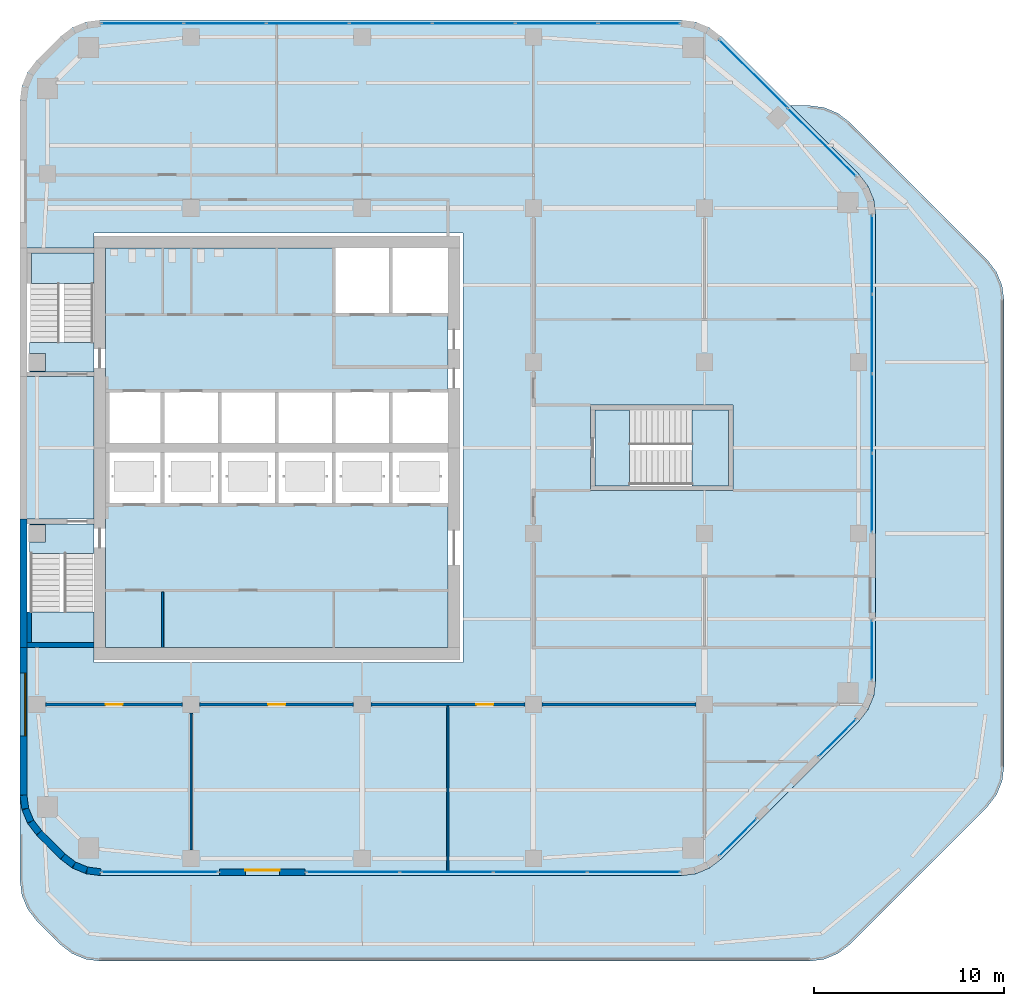
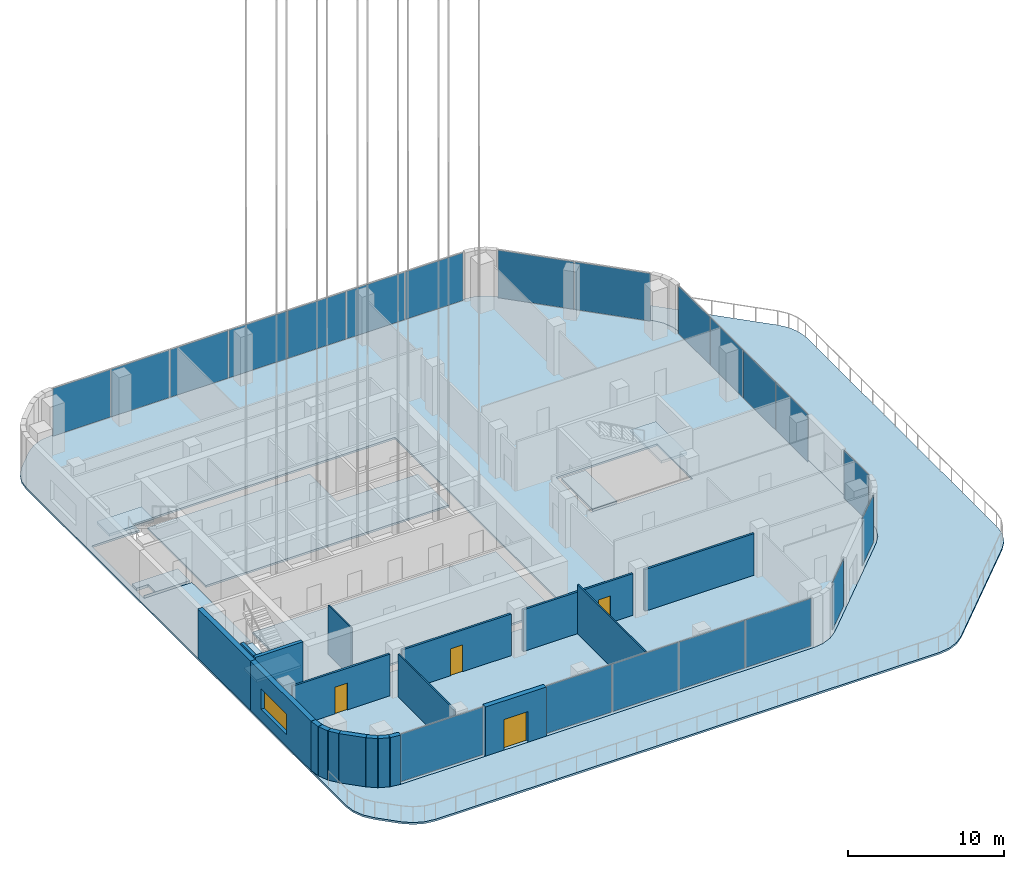
# One storey, part 23 of 29: 21 plates, 19 walls, 10 slabs, 4 doors, 1 window, 5 openings, 11 elements without a shape of their own.
"""IFC4 building model written with IfcOpenShell, lengths in metres."""

from ifc_helpers import new_model, si_unit, direction, frame, frame_2d, origin, origin_2d, place, context, subcontext, project, spatial, polyline, rectangle, outline, extrude, material, layer, layer_set, type_object, element, fill, aggregate, save


model = new_model("IFC4")

# Units and contexts
model_context = context("Model", 3, precision=1e-05, world=origin(), true_north=direction((0.0, 1.0)))
body_context = subcontext(model_context, "Body", "Model", "MODEL_VIEW")
ifc_project = project(units=[si_unit("LENGTHUNIT", "METRE"), si_unit("AREAUNIT", "SQUARE_METRE"), si_unit("VOLUMEUNIT", "CUBIC_METRE"), si_unit("PLANEANGLEUNIT", "RADIAN"), si_unit("MASSUNIT", "GRAM", prefix="KILO")], contexts=[model_context])

# Site, building, storey
site_placement = place(None, origin())
site = spatial("IfcSite", under=ifc_project, at=site_placement, CompositionType="ELEMENT")
building_placement = place(site_placement, origin())
building = spatial("IfcBuilding", under=site, at=building_placement, Name="Cinnabar Reach Civic Tower", CompositionType="ELEMENT")
storey_placement = place(building_placement, frame((0.0, 0.0, 149.0)))
storey = spatial("IfcBuildingStorey", under=building, at=storey_placement, Name="L35", CompositionType="ELEMENT", Elevation=149.0)

# Slab
ifc_material_1 = material(Name="Concrete C40", Category="concrete")
ifc_layer_1 = layer(ifc_material_1, 0.15)
ifc_layer_set_1 = layer_set([ifc_layer_1], Name="Composite floor slab 150 REI 150")
slab_type_1 = type_object("IfcSlabType", Name="Composite floor slab 150 REI 150", PredefinedType="FLOOR", material=ifc_layer_set_1)
slab_1_placement = place(storey_placement, frame((0.0, 0.0, -0.15)))
element("IfcSlab", 1, at=slab_1_placement, inside=storey, type_object=slab_type_1, Name="Composite floor slab 150 T1 L35", PredefinedType="FLOOR", context=body_context, shape_type="SweptSolid", body=[
    extrude(outline(polyline([(0.8787, 11.1213), (0.4019, 11.7426), (0.1022, 12.4662), (0.0, 13.2426), (0.0, 49.7574), (0.1022, 50.5338), (0.4019, 51.2574), (0.8787, 51.8787), (2.1213, 53.1213), (2.7426, 53.5981), (3.4662, 53.8978), (4.2426, 54.0), (34.7574, 54.0), (35.5338, 53.8978), (36.2574, 53.5981), (36.8787, 53.1213), (44.1213, 45.8787), (44.5981, 45.2574), (44.8978, 44.5338), (45.0, 43.7574), (45.0, 19.2426), (44.8978, 18.4662), (44.5981, 17.7426), (44.1213, 17.1213), (36.8787, 9.8787), (36.2574, 9.4019), (35.5338, 9.1022), (34.7574, 9.0), (4.2426, 9.0), (3.4662, 9.1022), (2.7426, 9.4019), (2.1213, 9.8787), (0.8787, 11.1213)]), holes=[polyline([(0.36, 21.0), (3.9, 21.0), (3.9, 20.2), (23.3, 20.2), (23.3, 42.8), (3.9, 42.8), (3.9, 42.0), (0.36, 42.0), (0.36, 35.25), (3.9, 35.25), (3.9, 27.75), (0.36, 27.75), (0.36, 21.0)]), polyline([(30.0, 33.75), (30.0, 29.25), (37.5, 29.25), (37.5, 33.75), (30.0, 33.75)])]), origin(), (0.0, 0.0, 1.0), 0.15),
])

# Stair, slabs
ifc_material_2 = material(Name="Concrete C40/50", Category="concrete")
stair_type = type_object("IfcStairType", Name="T1 Exit stair, half-turn", PredefinedType="HALF_TURN_STAIR", material=ifc_material_2)
stair_1_placement = place(storey_placement, origin())
stair_1 = element("IfcStair", 2, at=stair_1_placement, inside=storey, type_object=stair_type, Name="Stair T1-S1", PredefinedType="HALF_TURN_STAIR")
ifc_layer_2 = layer(ifc_material_2, 0.2)
ifc_layer_set_2 = layer_set([ifc_layer_2], Name="T1 Stair landing 200, Concrete C40/50")
slab_type_2 = type_object("IfcSlabType", Name="T1 Stair landing 200, Concrete C40/50", PredefinedType="LANDING", material=ifc_layer_set_2)
slab_2_placement = place(storey_placement, frame((0.0, 0.0, -0.2)))
slab_2 = element("IfcSlab", 3, at=slab_2_placement, type_object=slab_type_2, Name="T1-S1 landing 1", PredefinedType="LANDING", context=body_context, shape_type="SweptSolid", body=[
    extrude(outline(polyline([(0.5, 27.5), (3.9, 27.5), (3.9, 25.95), (0.5, 25.95), (0.5, 26.55), (1.35, 26.55), (1.35, 27.45), (0.5, 27.45), (0.5, 27.5)])), origin(), (0.0, 0.0, 1.0), 0.2),
])
slab_3_placement = place(storey_placement, frame((0.0, 0.0, 1.8)))
slab_3 = element("IfcSlab", 4, at=slab_3_placement, type_object=slab_type_2, Name="T1-S1 landing 2", PredefinedType="LANDING", context=body_context, shape_type="SweptSolid", body=[
    extrude(outline(polyline([(0.6, 21.25), (0.6, 22.87), (3.9, 22.87), (3.9, 21.25), (0.6, 21.25)])), origin(), (0.0, 0.0, 1.0), 0.2),
])
aggregate(stair_1, [slab_2, slab_3])

stair_2_placement = place(storey_placement, origin())
stair_2 = element("IfcStair", 5, at=stair_2_placement, inside=storey, type_object=stair_type, Name="Stair T1-S2", PredefinedType="HALF_TURN_STAIR")
slab_4_placement = place(storey_placement, frame((0.0, 0.0, -0.2)))
slab_4 = element("IfcSlab", 6, at=slab_4_placement, type_object=slab_type_2, Name="T1-S2 landing 1", PredefinedType="LANDING", context=body_context, shape_type="SweptSolid", body=[
    extrude(outline(polyline([(0.5, 37.05), (3.9, 37.05), (3.9, 35.5), (0.5, 35.5), (0.5, 35.55), (1.35, 35.55), (1.35, 36.45), (0.5, 36.45), (0.5, 37.05)])), origin(), (0.0, 0.0, 1.0), 0.2),
])
slab_5_placement = place(storey_placement, frame((0.0, 0.0, 1.8)))
slab_5 = element("IfcSlab", 7, at=slab_5_placement, type_object=slab_type_2, Name="T1-S2 landing 2", PredefinedType="LANDING", context=body_context, shape_type="SweptSolid", body=[
    extrude(outline(polyline([(0.6, 40.13), (0.6, 41.75), (3.9, 41.75), (3.9, 40.13), (0.6, 40.13)])), origin(), (0.0, 0.0, 1.0), 0.2),
])
aggregate(stair_2, [slab_4, slab_5])

stair_3_placement = place(storey_placement, origin())
stair_3 = element("IfcStair", 8, at=stair_3_placement, inside=storey, type_object=stair_type, Name="Stair T1-S3", PredefinedType="HALF_TURN_STAIR")
slab_6_placement = place(storey_placement, frame((0.0, 0.0, -0.2)))
slab_6 = element("IfcSlab", 9, at=slab_6_placement, type_object=slab_type_2, Name="T1-S3 landing 1", PredefinedType="LANDING", context=body_context, shape_type="SweptSolid", body=[
    extrude(outline(polyline([(30.25, 29.5), (32.05, 29.5), (32.05, 33.5), (30.25, 33.5), (30.25, 29.5)])), origin(), (0.0, 0.0, 1.0), 0.2),
])
slab_7_placement = place(storey_placement, frame((0.0, 0.0, 1.8)))
slab_7 = element("IfcSlab", 10, at=slab_7_placement, type_object=slab_type_2, Name="T1-S3 landing 2", PredefinedType="LANDING", context=body_context, shape_type="SweptSolid", body=[
    extrude(outline(polyline([(35.35, 29.5), (37.25, 29.5), (37.25, 33.5), (35.35, 33.5), (35.35, 29.5)])), origin(), (0.0, 0.0, 1.0), 0.2),
])
aggregate(stair_3, [slab_6, slab_7])

# Slabs
ifc_layer_3 = layer(ifc_material_2, 0.15)
ifc_layer_set_3 = layer_set([ifc_layer_3], Name="T1 core floor slab 150")
slab_type_3 = type_object("IfcSlabType", Name="T1 core floor slab 150", PredefinedType="FLOOR", material=ifc_layer_set_3)
slab_8_placement = place(storey_placement, frame((0.0, 0.0, -0.15)))
element("IfcSlab", 11, at=slab_8_placement, inside=storey, type_object=slab_type_3, Name="Core floor slab L35", PredefinedType="FLOOR", context=body_context, shape_type="SweptSolid", body=[
    extrude(outline(polyline([(22.5, 21.0), (4.5, 21.0), (4.5, 28.5), (7.5, 28.5), (10.5, 28.5), (13.5, 28.5), (16.5, 28.5), (19.5, 28.5), (22.5, 28.5), (22.5, 21.0)])), origin(), (0.0, 0.0, 1.0), 0.15),
])
slab_9_placement = place(storey_placement, frame((0.0, 0.0, -0.15)))
element("IfcSlab", 12, at=slab_9_placement, inside=storey, type_object=slab_type_3, Name="Core floor slab L35", PredefinedType="FLOOR", context=body_context, shape_type="SweptSolid", body=[
    extrude(outline(polyline([(22.5, 34.5), (19.5, 34.5), (16.5, 34.5), (13.5, 34.5), (10.5, 34.5), (7.5, 34.5), (4.5, 34.5), (4.5, 42.0), (16.5, 42.0), (16.5, 38.5), (19.5, 38.5), (22.5, 38.5), (22.5, 34.5)])), origin(), (0.0, 0.0, 1.0), 0.15),
])
ifc_layer_4 = layer(ifc_material_1, 0.15)
ifc_layer_set_4 = layer_set([ifc_layer_4], Name="Terrace slab 150 REI 150")
slab_type_4 = type_object("IfcSlabType", Name="Terrace slab 150 REI 150", PredefinedType="FLOOR", material=ifc_layer_set_4)
slab_10_placement = place(storey_placement, frame((0.0, 0.0, -0.15)))
element("IfcSlab", 13, at=slab_10_placement, inside=storey, type_object=slab_type_4, Name="Terrace slab T1 L35 1", PredefinedType="FLOOR", context=body_context, shape_type="SweptSolid", body=[
    extrude(outline(polyline([(41.5074, 49.5), (42.2838, 49.3978), (43.0074, 49.0981), (43.6287, 48.6213), (50.8713, 41.3787), (51.3481, 40.7574), (51.6478, 40.0338), (51.75, 39.2574), (51.75, 14.7426), (51.6478, 13.9662), (51.3481, 13.2426), (50.8713, 12.6213), (43.6287, 5.3787), (43.0074, 4.9019), (42.2838, 4.6022), (41.5074, 4.5), (4.2426, 4.5), (3.4662, 4.6022), (2.7426, 4.9019), (2.1213, 5.3787), (0.8787, 6.6213), (0.4019, 7.2426), (0.1022, 7.9662), (0.0, 8.7426), (0.0, 13.2426), (0.1022, 12.4662), (0.4019, 11.7426), (0.8787, 11.1213), (2.1213, 9.8787), (2.7426, 9.4019), (3.4662, 9.1022), (4.2426, 9.0), (34.7574, 9.0), (35.5338, 9.1022), (36.2574, 9.4019), (36.8787, 9.8787), (44.1213, 17.1213), (44.5981, 17.7426), (44.8978, 18.4662), (45.0, 19.2426), (45.0, 43.7574), (44.8978, 44.5338), (44.5981, 45.2574), (44.1213, 45.8787), (40.5, 49.5), (41.5074, 49.5)])), origin(), (0.0, 0.0, 1.0), 0.15),
])

# Curtain wall, plate
ifc_material_3 = material(Name="Aluminium and clear double glazing", Category="aluminium")
curtain_wall_type = type_object("IfcCurtainWallType", Name="Tower 1 sky lobby curtain wall", PredefinedType="NOTDEFINED", material=ifc_material_3)
curtain_wall_1_placement = place(storey_placement, origin())
curtain_wall_1 = element("IfcCurtainWall", 14, at=curtain_wall_1_placement, inside=storey, type_object=curtain_wall_type, Name="Tower 1 sky lobby 1", PredefinedType="NOTDEFINED")
ifc_material_4 = material(Name="Clear double glazing", Category="glass")
ifc_layer_5 = layer(ifc_material_4, 0.028)
ifc_layer_set_5 = layer_set([ifc_layer_5], Name="Tower 1 sky lobby glazing panel")
plate_type = type_object("IfcPlateType", Name="Tower 1 sky lobby glazing panel", PredefinedType="CURTAIN_PANEL", material=ifc_layer_set_5)
plate_1_placement = place(storey_placement, frame((7.3563, 9.18, 0.06), z_axis=(0.0, 0.0, 1.0), x_axis=(1.0, 0.0, 0.0)))
plate_1 = element("IfcPlate", 15, at=plate_1_placement, type_object=plate_type, Name="CW-T1SKY-1 panel 1.1", PredefinedType="CURTAIN_PANEL", context=body_context, shape_type="SweptSolid", body=[
    extrude(rectangle(XDim=6.1074, YDim=0.028, at=origin_2d()), origin(), (0.0, 0.0, 1.0), 3.73),
])
aggregate(curtain_wall_1, [plate_1])

# Curtain wall, plates
curtain_wall_2_placement = place(storey_placement, origin())
curtain_wall_2 = element("IfcCurtainWall", 16, at=curtain_wall_2_placement, inside=storey, type_object=curtain_wall_type, Name="Tower 1 sky lobby 2", PredefinedType="NOTDEFINED")
plate_2_placement = place(storey_placement, frame((17.5109, 9.18, 0.06), z_axis=(0.0, 0.0, 1.0), x_axis=(1.0, 0.0, 0.0)))
plate_2 = element("IfcPlate", 17, at=plate_2_placement, type_object=plate_type, Name="CW-T1SKY-2 panel 1.1", PredefinedType="CURTAIN_PANEL", context=body_context, shape_type="SweptSolid", body=[
    extrude(rectangle(XDim=4.8418, YDim=0.028, at=origin_2d()), origin(), (0.0, 0.0, 1.0), 3.73),
])
plate_3_placement = place(storey_placement, frame((22.4278, 9.18, 0.06), z_axis=(0.0, 0.0, 1.0), x_axis=(1.0, 0.0, 0.0)))
plate_3 = element("IfcPlate", 18, at=plate_3_placement, type_object=plate_type, Name="CW-T1SKY-2 panel 2.1", PredefinedType="CURTAIN_PANEL", context=body_context, shape_type="SweptSolid", body=[
    extrude(rectangle(XDim=4.8719, YDim=0.028, at=origin_2d()), origin(), (0.0, 0.0, 1.0), 3.73),
])
plate_4_placement = place(storey_placement, frame((27.3596, 9.18, 0.06), z_axis=(0.0, 0.0, 1.0), x_axis=(1.0, 0.0, 0.0)))
plate_4 = element("IfcPlate", 19, at=plate_4_placement, type_object=plate_type, Name="CW-T1SKY-2 panel 3.1", PredefinedType="CURTAIN_PANEL", context=body_context, shape_type="SweptSolid", body=[
    extrude(rectangle(XDim=4.8719, YDim=0.028, at=origin_2d()), origin(), (0.0, 0.0, 1.0), 3.73),
])
plate_5_placement = place(storey_placement, frame((32.2765, 9.18, 0.06), z_axis=(0.0, 0.0, 1.0), x_axis=(1.0, 0.0, 0.0)))
plate_5 = element("IfcPlate", 20, at=plate_5_placement, type_object=plate_type, Name="CW-T1SKY-2 panel 4.1", PredefinedType="CURTAIN_PANEL", context=body_context, shape_type="SweptSolid", body=[
    extrude(rectangle(XDim=4.8418, YDim=0.028, at=origin_2d()), origin(), (0.0, 0.0, 1.0), 3.73),
])
aggregate(curtain_wall_2, [plate_2, plate_3, plate_4, plate_5])

# Curtain wall, plate
curtain_wall_3_placement = place(storey_placement, origin())
curtain_wall_3 = element("IfcCurtainWall", 21, at=curtain_wall_3_placement, inside=storey, type_object=curtain_wall_type, Name="Tower 1 sky lobby 3", PredefinedType="NOTDEFINED")
plate_6_placement = place(storey_placement, frame((37.7559, 11.0106, 0.06), z_axis=(0.0, 0.0, 1.0), x_axis=(0.707106781187, 0.707106781187, 0.0)))
plate_6 = element("IfcPlate", 22, at=plate_6_placement, type_object=plate_type, Name="CW-T1SKY-3 panel 1.1", PredefinedType="CURTAIN_PANEL", context=body_context, shape_type="SweptSolid", body=[
    extrude(rectangle(XDim=2.7213, YDim=0.028, at=origin_2d()), origin(), (0.0, 0.0, 1.0), 3.73),
])
aggregate(curtain_wall_3, [plate_6])

curtain_wall_4_placement = place(storey_placement, origin())
curtain_wall_4 = element("IfcCurtainWall", 23, at=curtain_wall_4_placement, inside=storey, type_object=curtain_wall_type, Name="Tower 1 sky lobby 4", PredefinedType="NOTDEFINED")
plate_7_placement = place(storey_placement, frame((42.9894, 16.2441, 0.06), z_axis=(0.0, 0.0, 1.0), x_axis=(0.707106781187, 0.707106781187, 0.0)))
plate_7 = element("IfcPlate", 24, at=plate_7_placement, type_object=plate_type, Name="CW-T1SKY-4 panel 1.1", PredefinedType="CURTAIN_PANEL", context=body_context, shape_type="SweptSolid", body=[
    extrude(rectangle(XDim=2.7213, YDim=0.028, at=origin_2d()), origin(), (0.0, 0.0, 1.0), 3.73),
])
aggregate(curtain_wall_4, [plate_7])

curtain_wall_5_placement = place(storey_placement, origin())
curtain_wall_5 = element("IfcCurtainWall", 25, at=curtain_wall_5_placement, inside=storey, type_object=curtain_wall_type, Name="Tower 1 sky lobby 5", PredefinedType="NOTDEFINED")
plate_8_placement = place(storey_placement, frame((44.82, 20.8563, 0.06), z_axis=(0.0, 0.0, 1.0), x_axis=(0.0, 1.0, 0.0)))
plate_8 = element("IfcPlate", 26, at=plate_8_placement, type_object=plate_type, Name="CW-T1SKY-5 panel 1.1", PredefinedType="CURTAIN_PANEL", context=body_context, shape_type="SweptSolid", body=[
    extrude(rectangle(XDim=3.1074, YDim=0.028, at=origin_2d()), origin(), (0.0, 0.0, 1.0), 3.73),
])
aggregate(curtain_wall_5, [plate_8])

# Curtain wall, plates
curtain_wall_6_placement = place(storey_placement, origin())
curtain_wall_6 = element("IfcCurtainWall", 27, at=curtain_wall_6_placement, inside=storey, type_object=curtain_wall_type, Name="Tower 1 sky lobby 6", PredefinedType="NOTDEFINED")
plate_9_placement = place(storey_placement, frame((44.82, 29.1359, 0.06), z_axis=(0.0, 0.0, 1.0), x_axis=(0.0, 1.0, 0.0)))
plate_9 = element("IfcPlate", 28, at=plate_9_placement, type_object=plate_type, Name="CW-T1SKY-6 panel 1.1", PredefinedType="CURTAIN_PANEL", context=body_context, shape_type="SweptSolid", body=[
    extrude(rectangle(XDim=4.0918, YDim=0.028, at=origin_2d()), origin(), (0.0, 0.0, 1.0), 3.73),
])
plate_10_placement = place(storey_placement, frame((44.82, 33.3028, 0.06), z_axis=(0.0, 0.0, 1.0), x_axis=(0.0, 1.0, 0.0)))
plate_10 = element("IfcPlate", 29, at=plate_10_placement, type_object=plate_type, Name="CW-T1SKY-6 panel 2.1", PredefinedType="CURTAIN_PANEL", context=body_context, shape_type="SweptSolid", body=[
    extrude(rectangle(XDim=4.1219, YDim=0.028, at=origin_2d()), origin(), (0.0, 0.0, 1.0), 3.73),
])
plate_11_placement = place(storey_placement, frame((44.82, 37.4846, 0.06), z_axis=(0.0, 0.0, 1.0), x_axis=(0.0, 1.0, 0.0)))
plate_11 = element("IfcPlate", 30, at=plate_11_placement, type_object=plate_type, Name="CW-T1SKY-6 panel 3.1", PredefinedType="CURTAIN_PANEL", context=body_context, shape_type="SweptSolid", body=[
    extrude(rectangle(XDim=4.1219, YDim=0.028, at=origin_2d()), origin(), (0.0, 0.0, 1.0), 3.73),
])
plate_12_placement = place(storey_placement, frame((44.82, 41.6515, 0.06), z_axis=(0.0, 0.0, 1.0), x_axis=(0.0, 1.0, 0.0)))
plate_12 = element("IfcPlate", 31, at=plate_12_placement, type_object=plate_type, Name="CW-T1SKY-6 panel 4.1", PredefinedType="CURTAIN_PANEL", context=body_context, shape_type="SweptSolid", body=[
    extrude(rectangle(XDim=4.0918, YDim=0.028, at=origin_2d()), origin(), (0.0, 0.0, 1.0), 3.73),
])
aggregate(curtain_wall_6, [plate_9, plate_10, plate_11, plate_12])

curtain_wall_7_placement = place(storey_placement, origin())
curtain_wall_7 = element("IfcCurtainWall", 32, at=curtain_wall_7_placement, inside=storey, type_object=curtain_wall_type, Name="Tower 1 sky lobby 7", PredefinedType="NOTDEFINED")
plate_13_placement = place(storey_placement, frame((42.1727, 47.5727, 0.06), z_axis=(0.0, 0.0, 1.0), x_axis=(-0.707106781187, 0.707106781187, 0.0)))
plate_13 = element("IfcPlate", 33, at=plate_13_placement, type_object=plate_type, Name="CW-T1SKY-7 panel 1.1", PredefinedType="CURTAIN_PANEL", context=body_context, shape_type="SweptSolid", body=[
    extrude(rectangle(XDim=5.0313, YDim=0.028, at=origin_2d()), origin(), (0.0, 0.0, 1.0), 3.73),
])
plate_14_placement = place(storey_placement, frame((38.5727, 51.1727, 0.06), z_axis=(0.0, 0.0, 1.0), x_axis=(-0.707106781187, 0.707106781187, 0.0)))
plate_14 = element("IfcPlate", 34, at=plate_14_placement, type_object=plate_type, Name="CW-T1SKY-7 panel 2.1", PredefinedType="CURTAIN_PANEL", context=body_context, shape_type="SweptSolid", body=[
    extrude(rectangle(XDim=5.0313, YDim=0.028, at=origin_2d()), origin(), (0.0, 0.0, 1.0), 3.73),
])
aggregate(curtain_wall_7, [plate_13, plate_14])

curtain_wall_8_placement = place(storey_placement, origin())
curtain_wall_8 = element("IfcCurtainWall", 35, at=curtain_wall_8_placement, inside=storey, type_object=curtain_wall_type, Name="Tower 1 sky lobby 8", PredefinedType="NOTDEFINED")
plate_15_placement = place(storey_placement, frame((32.5628, 53.82, 0.06), z_axis=(0.0, 0.0, 1.0), x_axis=(-1.0, 0.0, 0.0)))
plate_15 = element("IfcPlate", 36, at=plate_15_placement, type_object=plate_type, Name="CW-T1SKY-8 panel 1.1", PredefinedType="CURTAIN_PANEL", context=body_context, shape_type="SweptSolid", body=[
    extrude(rectangle(XDim=4.2693, YDim=0.028, at=origin_2d()), origin(), (0.0, 0.0, 1.0), 3.73),
])
plate_16_placement = place(storey_placement, frame((28.2185, 53.82, 0.06), z_axis=(0.0, 0.0, 1.0), x_axis=(-1.0, 0.0, 0.0)))
plate_16 = element("IfcPlate", 37, at=plate_16_placement, type_object=plate_type, Name="CW-T1SKY-8 panel 2.1", PredefinedType="CURTAIN_PANEL", context=body_context, shape_type="SweptSolid", body=[
    extrude(rectangle(XDim=4.2993, YDim=0.028, at=origin_2d()), origin(), (0.0, 0.0, 1.0), 3.73),
])
plate_17_placement = place(storey_placement, frame((23.8593, 53.82, 0.06), z_axis=(0.0, 0.0, 1.0), x_axis=(-1.0, 0.0, 0.0)))
plate_17 = element("IfcPlate", 38, at=plate_17_placement, type_object=plate_type, Name="CW-T1SKY-8 panel 3.1", PredefinedType="CURTAIN_PANEL", context=body_context, shape_type="SweptSolid", body=[
    extrude(rectangle(XDim=4.2993, YDim=0.028, at=origin_2d()), origin(), (0.0, 0.0, 1.0), 3.73),
])
plate_18_placement = place(storey_placement, frame((19.5, 53.82, 0.06), z_axis=(0.0, 0.0, 1.0), x_axis=(-1.0, 0.0, 0.0)))
plate_18 = element("IfcPlate", 39, at=plate_18_placement, type_object=plate_type, Name="CW-T1SKY-8 panel 4.1", PredefinedType="CURTAIN_PANEL", context=body_context, shape_type="SweptSolid", body=[
    extrude(rectangle(XDim=4.2993, YDim=0.028, at=origin_2d()), origin(), (0.0, 0.0, 1.0), 3.73),
])
plate_19_placement = place(storey_placement, frame((15.1407, 53.82, 0.06), z_axis=(0.0, 0.0, 1.0), x_axis=(-1.0, 0.0, 0.0)))
plate_19 = element("IfcPlate", 40, at=plate_19_placement, type_object=plate_type, Name="CW-T1SKY-8 panel 5.1", PredefinedType="CURTAIN_PANEL", context=body_context, shape_type="SweptSolid", body=[
    extrude(rectangle(XDim=4.2993, YDim=0.028, at=origin_2d()), origin(), (0.0, 0.0, 1.0), 3.73),
])
plate_20_placement = place(storey_placement, frame((10.7815, 53.82, 0.06), z_axis=(0.0, 0.0, 1.0), x_axis=(-1.0, 0.0, 0.0)))
plate_20 = element("IfcPlate", 41, at=plate_20_placement, type_object=plate_type, Name="CW-T1SKY-8 panel 6.1", PredefinedType="CURTAIN_PANEL", context=body_context, shape_type="SweptSolid", body=[
    extrude(rectangle(XDim=4.2993, YDim=0.028, at=origin_2d()), origin(), (0.0, 0.0, 1.0), 3.73),
])
plate_21_placement = place(storey_placement, frame((6.4372, 53.82, 0.06), z_axis=(0.0, 0.0, 1.0), x_axis=(-1.0, 0.0, 0.0)))
plate_21 = element("IfcPlate", 42, at=plate_21_placement, type_object=plate_type, Name="CW-T1SKY-8 panel 7.1", PredefinedType="CURTAIN_PANEL", context=body_context, shape_type="SweptSolid", body=[
    extrude(rectangle(XDim=4.2693, YDim=0.028, at=origin_2d()), origin(), (0.0, 0.0, 1.0), 3.73),
])
aggregate(curtain_wall_8, [plate_15, plate_16, plate_17, plate_18, plate_19, plate_20, plate_21])

# Walls
ifc_material_5 = material(Name="Facing brick with insulated backing", Category="masonry")
ifc_layer_6 = layer(ifc_material_5, 0.36)
ifc_layer_set_6 = layer_set([ifc_layer_6], Name="Brick corner wall")
wall_type_1 = type_object("IfcWallType", Name="Brick corner wall", PredefinedType="STANDARD", material=ifc_layer_set_6)
for number, where, z_axis, x_axis, name in (
    (43, (0.183, 13.2314, 0.0), (0.0, 0.0, 1.0), (0.13055608231, -0.99144092581, 0.0), "Brick corner wall"),
    (44, (0.2819, 12.5027, 0.0), (0.0, 0.0, 1.0), (0.382702709855, -0.923871547278, 0.0), "Brick corner wall"),
):
    element("IfcWall", number, at=place(storey_placement, frame(where, z_axis=z_axis, x_axis=x_axis)), inside=storey, type_object=wall_type_1, Name=name, PredefinedType="STANDARD", context=body_context, shape_type="SweptSolid", body=[
        extrude(rectangle(XDim=0.7131, YDim=0.36, at=frame_2d((0.3565, 0.0))), origin(), (0.0, 0.0, 1.0), 3.85),
    ])
for number, where, z_axis, x_axis, name in (
    (45, (0.566, 11.8245, 0.0), (0.0, 0.0, 1.0), (0.608802368033, -0.793321924995, 0.0), "Brick corner wall"),
    (46, (2.2587, 10.0002, 0.0), (0.0, 0.0, 1.0), (0.793321924995, -0.608802368033, 0.0), "Brick corner wall"),
):
    element("IfcWall", number, at=place(storey_placement, frame(where, z_axis=z_axis, x_axis=x_axis)), inside=storey, type_object=wall_type_1, Name=name, PredefinedType="STANDARD", context=body_context, shape_type="SweptSolid", body=[
        extrude(rectangle(XDim=0.7132, YDim=0.36, at=frame_2d((0.3566, 0.0))), origin(), (0.0, 0.0, 1.0), 3.85),
    ])
for number, where, z_axis, x_axis, name in (
    (47, (2.8439, 9.5548, 0.0), (0.0, 0.0, 1.0), (0.923871547278, -0.382702709855, 0.0), "Brick corner wall"),
    (48, (3.5244, 9.2761, 0.0), (0.0, 0.0, 1.0), (0.99144092581, -0.13055608231, 0.0), "Brick corner wall"),
):
    element("IfcWall", number, at=place(storey_placement, frame(where, z_axis=z_axis, x_axis=x_axis)), inside=storey, type_object=wall_type_1, Name=name, PredefinedType="STANDARD", context=body_context, shape_type="SweptSolid", body=[
        extrude(rectangle(XDim=0.7131, YDim=0.36, at=frame_2d((0.3565, 0.0))), origin(), (0.0, 0.0, 1.0), 3.85),
    ])

# Wall, opening, door
ifc_layer_7 = layer(ifc_material_5, 0.36)
ifc_layer_set_7 = layer_set([ifc_layer_7], Name="Brick pier and spandrel wall")
wall_type_2 = type_object("IfcWallType", Name="Brick pier and spandrel wall", PredefinedType="STANDARD", material=ifc_layer_set_7)
wall_1_placement = place(storey_placement, frame((10.5, 9.18, 0.0), z_axis=(0.0, 0.0, 1.0), x_axis=(1.0, 0.0, 0.0)))
wall_1 = element("IfcWall", 49, at=wall_1_placement, inside=storey, type_object=wall_type_2, Name="Brick facade wall", PredefinedType="STANDARD", context=body_context, shape_type="SweptSolid", body=[
    extrude(rectangle(XDim=4.5, YDim=0.36, at=frame_2d((2.25, 0.0))), origin(), (0.0, 0.0, 1.0), 3.85),
])
opening_1_placement = place(wall_1_placement, frame((1.35, 0.0, 0.0)))
opening_1 = element("IfcOpeningElement", 50, at=opening_1_placement, cuts=wall_1, Name="Opening D7507", PredefinedType="OPENING", context=body_context, shape_type="SweptSolid", body=[
    extrude(rectangle(XDim=1.8, YDim=2.4, at=frame_2d((0.9, 1.2))), frame((0.0, 0.19, 0.0), z_axis=(0.0, -1.0, 0.0), x_axis=(1.0, 0.0, 0.0)), (0.0, 0.0, 1.0), 0.38),
])
ifc_material_6 = material(Name="Clear glazing in aluminium frame", Category="aluminium")
door_type_1 = type_object("IfcDoorType", Name="Facade terrace double door", OperationType="SINGLE_SWING_LEFT", PredefinedType="DOOR", material=ifc_material_6)
door_1_placement = place(opening_1_placement, frame((1.8, 0.0, 0.0), z_axis=(0.0, 0.0, 1.0), x_axis=(-1.0, 0.0, 0.0)))
door_1 = element("IfcDoor", 51, at=door_1_placement, inside=storey, type_object=door_type_1, Name="Terrace door", OperationType="DOUBLE_DOOR_SINGLE_SWING", OverallHeight=2.4, OverallWidth=1.8, PredefinedType="DOOR", context=body_context, shape_type="SweptSolid", body=[
    extrude(rectangle(XDim=1.8, YDim=2.4, at=frame_2d((0.9, 1.2))), frame((0.0, -0.07, 0.0), z_axis=(0.0, -1.0, 0.0), x_axis=(1.0, 0.0, 0.0)), (0.0, 0.0, 1.0), 0.05),
])
fill(opening_1, door_1)

# Wall
wall_2_placement = place(storey_placement, frame((0.18, 27.75, 0.0), z_axis=(0.0, 0.0, 1.0), x_axis=(0.0, -1.0, 0.0)))
element("IfcWall", 52, at=wall_2_placement, inside=storey, type_object=wall_type_2, Name="Brick facade wall", PredefinedType="STANDARD", context=body_context, shape_type="SweptSolid", body=[
    extrude(rectangle(XDim=6.75, YDim=0.36, at=frame_2d((3.375, 0.0))), origin(), (0.0, 0.0, 1.0), 3.85),
])

# Wall, opening, window
wall_3_placement = place(storey_placement, frame((0.18, 21.0, 0.0), z_axis=(0.0, 0.0, 1.0), x_axis=(0.0, -1.0, 0.0)))
wall_3 = element("IfcWall", 53, at=wall_3_placement, inside=storey, type_object=wall_type_2, Name="Brick facade wall", PredefinedType="STANDARD", context=body_context, shape_type="SweptSolid", body=[
    extrude(rectangle(XDim=7.7574, YDim=0.36, at=frame_2d((3.8787, 0.0))), origin(), (0.0, 0.0, 1.0), 3.85),
])
opening_2_placement = place(wall_3_placement, frame((1.35, 0.0, 0.9)))
opening_2 = element("IfcOpeningElement", 54, at=opening_2_placement, cuts=wall_3, Name="Opening W1740", PredefinedType="OPENING", context=body_context, shape_type="SweptSolid", body=[
    extrude(rectangle(XDim=3.3, YDim=1.6, at=frame_2d((1.65, 0.8))), frame((0.0, 0.19, 0.0), z_axis=(0.0, -1.0, 0.0), x_axis=(1.0, 0.0, 0.0)), (0.0, 0.0, 1.0), 0.38),
])
ifc_material_7 = material(Name="Clear double glazing in aluminium frame", Category="aluminium")
window_type = type_object("IfcWindowType", Name="Deep-set window A", PartitioningType="SINGLE_PANEL", PredefinedType="WINDOW", material=ifc_material_7)
window_placement = place(opening_2_placement, origin())
window = element("IfcWindow", 55, at=window_placement, inside=storey, type_object=window_type, Name="Window west face", OverallHeight=1.6, OverallWidth=3.3, PartitioningType="SINGLE_PANEL", PredefinedType="WINDOW", context=body_context, shape_type="SweptSolid", body=[
    extrude(rectangle(XDim=3.3, YDim=1.6, at=frame_2d((1.65, 0.8))), frame((0.0, 0.13, 0.0), z_axis=(0.0, -1.0, 0.0), x_axis=(1.0, 0.0, 0.0)), (0.0, 0.0, 1.0), 0.06),
])
fill(opening_2, window)

# Wall
wall_4_placement = place(storey_placement, frame((1.006, 11.2486, 0.0), z_axis=(0.0, 0.0, 1.0), x_axis=(0.707106781187, -0.707106781187, 0.0)))
element("IfcWall", 56, at=wall_4_placement, inside=storey, type_object=wall_type_2, Name="Brick facade wall", PredefinedType="STANDARD", context=body_context, shape_type="SweptSolid", body=[
    extrude(rectangle(XDim=1.7573, YDim=0.36, at=frame_2d((0.8787, 0.0))), origin(), (0.0, 0.0, 1.0), 3.85),
])

# Wall, opening, door
ifc_material_8 = material(Name="Gypsum board on steel studs, double layer", Category="steel")
ifc_layer_8 = layer(ifc_material_8, 0.15)
ifc_layer_set_8 = layer_set([ifc_layer_8], Name="Corridor wall 150 T1")
wall_type_3 = type_object("IfcWallType", Name="Corridor wall 150 T1", PredefinedType="PARTITIONING", material=ifc_layer_set_8)
wall_5_placement = place(storey_placement, frame((1.35, 18.0, 0.0), z_axis=(0.0, 0.0, 1.0), x_axis=(1.0, 0.0, 0.0)))
wall_5 = element("IfcWall", 57, at=wall_5_placement, inside=storey, type_object=wall_type_3, Name="Corridor wall 20", PredefinedType="PARTITIONING", context=body_context, shape_type="SweptSolid", body=[
    extrude(rectangle(XDim=7.2, YDim=0.15, at=frame_2d((3.6, 0.0))), origin(), (0.0, 0.0, 1.0), 3.262),
])
opening_3_placement = place(wall_5_placement, frame((3.15, 0.0, 0.0)))
opening_3 = element("IfcOpeningElement", 58, at=opening_3_placement, cuts=wall_5, Name="Opening D4444", PredefinedType="OPENING", context=body_context, shape_type="SweptSolid", body=[
    extrude(rectangle(XDim=0.9, YDim=2.1, at=frame_2d((0.45, 1.05))), frame((0.0, 0.085, 0.0), z_axis=(0.0, -1.0, 0.0), x_axis=(1.0, 0.0, 0.0)), (0.0, 0.0, 1.0), 0.17),
])
ifc_material_9 = material(Name="Timber door leaf in steel frame", Category="steel")
door_type_2 = type_object("IfcDoorType", Name="Single swing door 900 x 2100 corridor T1", OperationType="SINGLE_SWING_LEFT", PredefinedType="DOOR", material=ifc_material_9)
door_2_placement = place(opening_3_placement, frame((0.9, 0.0, 0.0), z_axis=(0.0, 0.0, 1.0), x_axis=(-1.0, 0.0, 0.0)))
door_2 = element("IfcDoor", 59, at=door_2_placement, inside=storey, type_object=door_type_2, Name="Door D4444", OperationType="SINGLE_SWING_RIGHT", OverallHeight=2.1, OverallWidth=0.9, PredefinedType="DOOR", context=body_context, shape_type="SweptSolid", body=[
    extrude(rectangle(XDim=0.9, YDim=2.1, at=frame_2d((0.45, 1.05))), frame((0.0, 0.025, 0.0), z_axis=(0.0, -1.0, 0.0), x_axis=(1.0, 0.0, 0.0)), (0.0, 0.0, 1.0), 0.05),
])
fill(opening_3, door_2)

wall_6_placement = place(storey_placement, frame((9.45, 18.0, 0.0), z_axis=(0.0, 0.0, 1.0), x_axis=(1.0, 0.0, 0.0)))
wall_6 = element("IfcWall", 60, at=wall_6_placement, inside=storey, type_object=wall_type_3, Name="Corridor wall 21", PredefinedType="PARTITIONING", context=body_context, shape_type="SweptSolid", body=[
    extrude(rectangle(XDim=8.1, YDim=0.15, at=frame_2d((4.05, 0.0))), origin(), (0.0, 0.0, 1.0), 3.262),
])
opening_4_placement = place(wall_6_placement, frame((3.6, 0.0, 0.0)))
opening_4 = element("IfcOpeningElement", 61, at=opening_4_placement, cuts=wall_6, Name="Opening D4445", PredefinedType="OPENING", context=body_context, shape_type="SweptSolid", body=[
    extrude(rectangle(XDim=0.9, YDim=2.1, at=frame_2d((0.45, 1.05))), frame((0.0, 0.085, 0.0), z_axis=(0.0, -1.0, 0.0), x_axis=(1.0, 0.0, 0.0)), (0.0, 0.0, 1.0), 0.17),
])
door_3_placement = place(opening_4_placement, frame((0.9, 0.0, 0.0), z_axis=(0.0, 0.0, 1.0), x_axis=(-1.0, 0.0, 0.0)))
door_3 = element("IfcDoor", 62, at=door_3_placement, inside=storey, type_object=door_type_2, Name="Door D4445", OperationType="SINGLE_SWING_LEFT", OverallHeight=2.1, OverallWidth=0.9, PredefinedType="DOOR", context=body_context, shape_type="SweptSolid", body=[
    extrude(rectangle(XDim=0.9, YDim=2.1, at=frame_2d((0.45, 1.05))), frame((0.0, 0.025, 0.0), z_axis=(0.0, -1.0, 0.0), x_axis=(1.0, 0.0, 0.0)), (0.0, 0.0, 1.0), 0.05),
])
fill(opening_4, door_3)

wall_7_placement = place(storey_placement, frame((18.45, 18.0, 0.0), z_axis=(0.0, 0.0, 1.0), x_axis=(1.0, 0.0, 0.0)))
wall_7 = element("IfcWall", 63, at=wall_7_placement, inside=storey, type_object=wall_type_3, Name="Corridor wall 22", PredefinedType="PARTITIONING", context=body_context, shape_type="SweptSolid", body=[
    extrude(rectangle(XDim=8.1, YDim=0.15, at=frame_2d((4.05, 0.0))), origin(), (0.0, 0.0, 1.0), 3.262),
])
opening_5_placement = place(wall_7_placement, frame((5.55, 0.0, 0.0)))
opening_5 = element("IfcOpeningElement", 64, at=opening_5_placement, cuts=wall_7, Name="Opening D4446", PredefinedType="OPENING", context=body_context, shape_type="SweptSolid", body=[
    extrude(rectangle(XDim=0.9, YDim=2.1, at=frame_2d((0.45, 1.05))), frame((0.0, 0.085, 0.0), z_axis=(0.0, -1.0, 0.0), x_axis=(1.0, 0.0, 0.0)), (0.0, 0.0, 1.0), 0.17),
])
door_4_placement = place(opening_5_placement, frame((0.9, 0.0, 0.0), z_axis=(0.0, 0.0, 1.0), x_axis=(-1.0, 0.0, 0.0)))
door_4 = element("IfcDoor", 65, at=door_4_placement, inside=storey, type_object=door_type_2, Name="Door D4446", OperationType="SINGLE_SWING_RIGHT", OverallHeight=2.1, OverallWidth=0.9, PredefinedType="DOOR", context=body_context, shape_type="SweptSolid", body=[
    extrude(rectangle(XDim=0.9, YDim=2.1, at=frame_2d((0.45, 1.05))), frame((0.0, 0.025, 0.0), z_axis=(0.0, -1.0, 0.0), x_axis=(1.0, 0.0, 0.0)), (0.0, 0.0, 1.0), 0.05),
])
fill(opening_5, door_4)

# Walls
wall_8_placement = place(storey_placement, frame((27.45, 18.0, 0.0), z_axis=(0.0, 0.0, 1.0), x_axis=(1.0, 0.0, 0.0)))
element("IfcWall", 66, at=wall_8_placement, inside=storey, type_object=wall_type_3, Name="Corridor wall 23", PredefinedType="PARTITIONING", context=body_context, shape_type="SweptSolid", body=[
    extrude(rectangle(XDim=8.1, YDim=0.15, at=frame_2d((4.05, 0.0))), origin(), (0.0, 0.0, 1.0), 3.262),
])
ifc_material_10 = material(Name="Gypsum board on steel studs", Category="steel")
ifc_layer_9 = layer(ifc_material_10, 0.1)
ifc_layer_set_9 = layer_set([ifc_layer_9], Name="Partition wall 100 T1")
wall_type_4 = type_object("IfcWallType", Name="Partition wall 100 T1", PredefinedType="PARTITIONING", material=ifc_layer_set_9)
wall_9_placement = place(storey_placement, frame((9.0, 10.35, 0.0), z_axis=(0.0, 0.0, 1.0), x_axis=(0.0, 1.0, 0.0)))
element("IfcWall", 67, at=wall_9_placement, inside=storey, type_object=wall_type_4, Name="Partition wall 47", PredefinedType="PARTITIONING", context=body_context, shape_type="SweptSolid", body=[
    extrude(rectangle(XDim=7.2, YDim=0.1, at=frame_2d((3.6, 0.0))), origin(), (0.0, 0.0, 1.0), 3.362),
])
wall_10_placement = place(storey_placement, frame((22.5, 9.26, 0.0), z_axis=(0.0, 0.0, 1.0), x_axis=(0.0, 1.0, 0.0)))
element("IfcWall", 68, at=wall_10_placement, inside=storey, type_object=wall_type_4, Name="Partition wall 48", PredefinedType="PARTITIONING", context=body_context, shape_type="SweptSolid", body=[
    extrude(rectangle(XDim=8.665, YDim=0.1, at=frame_2d((4.3325, 0.0))), origin(), (0.0, 0.0, 1.0), 3.85),
])
wall_11_placement = place(storey_placement, frame((7.5, 21.0, 0.0), z_axis=(0.0, 0.0, 1.0), x_axis=(0.0, 1.0, 0.0)))
element("IfcWall", 69, at=wall_11_placement, inside=storey, type_object=wall_type_4, Name="Partition wall 56", PredefinedType="PARTITIONING", context=body_context, shape_type="SweptSolid", body=[
    extrude(rectangle(XDim=2.925, YDim=0.1, at=frame_2d((1.4625, 0.0))), origin(), (0.0, 0.0, 1.0), 3.85),
])
ifc_material_11 = material(Name="Concrete C60", Category="concrete")
ifc_layer_10 = layer(ifc_material_11, 0.25)
ifc_layer_set_10 = layer_set([ifc_layer_10], Name="Stair shaft wall 250 EI 120")
wall_type_5 = type_object("IfcWallType", Name="Stair shaft wall 250 EI 120", PredefinedType="SOLIDWALL", material=ifc_layer_set_10)
wall_12_placement = place(storey_placement, frame((0.36, 21.125, 0.0), z_axis=(0.0, 0.0, 1.0), x_axis=(1.0, 0.0, 0.0)))
element("IfcWall", 70, at=wall_12_placement, inside=storey, type_object=wall_type_5, Name="Stair shaft wall T1-S1 L35", PredefinedType="SOLIDWALL", context=body_context, shape_type="SweptSolid", body=[
    extrude(rectangle(XDim=3.54, YDim=0.25, at=frame_2d((1.77, 0.0))), origin(), (0.0, 0.0, 1.0), 4.0),
])
ifc_layer_11 = layer(ifc_material_2, 0.24)
ifc_layer_set_11 = layer_set([ifc_layer_11], Name="T1 landing bearer wall 240")
wall_type_6 = type_object("IfcWallType", Name="T1 landing bearer wall 240", PredefinedType="STANDARD", material=ifc_layer_set_11)
wall_13_placement = place(storey_placement, frame((0.48, 21.25, 0.0), z_axis=(0.0, 0.0, 1.0), x_axis=(0.0, 1.0, 0.0)))
element("IfcWall", 71, at=wall_13_placement, inside=storey, type_object=wall_type_6, Name="T1-S1 landing bearer wall", PredefinedType="STANDARD", context=body_context, shape_type="SweptSolid", body=[
    extrude(rectangle(XDim=1.62, YDim=0.24, at=frame_2d((0.81, 0.0))), origin(), (0.0, 0.0, 1.0), 4.0),
])

save(model, "model.ifc")
